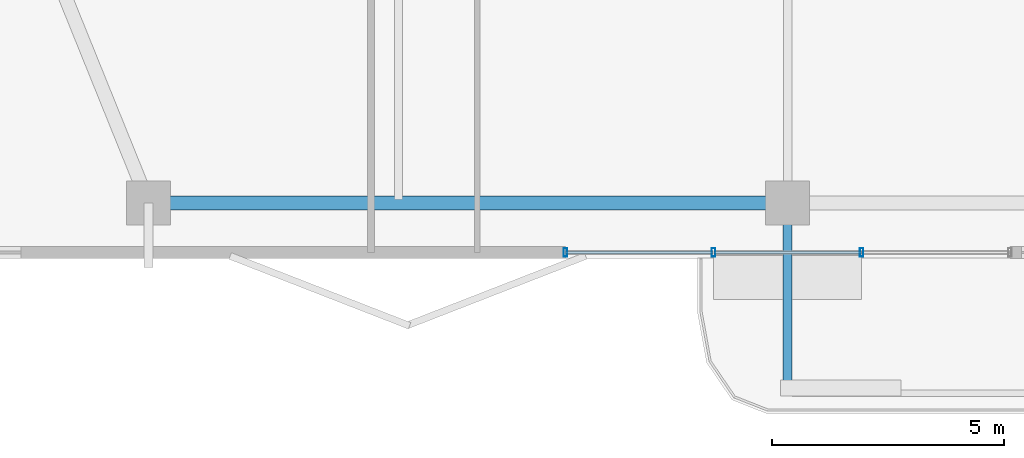
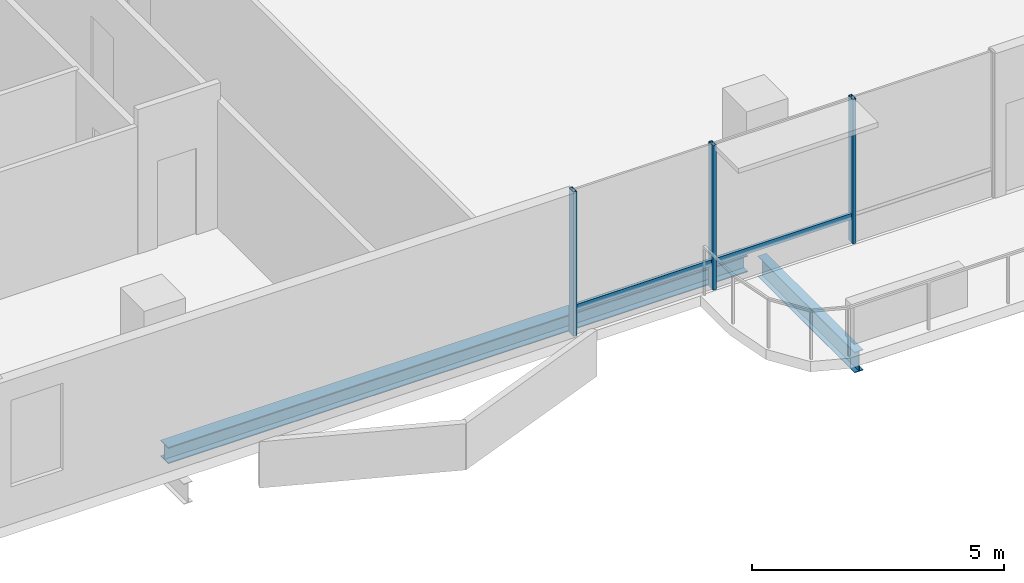
# One storey, part 2 of 25: 5 members, 2 beams, 1 element without a shape of its own.
"""IFC4 building model written with IfcOpenShell, lengths in metres."""

from ifc_helpers import new_model, si_unit, direction, frame, origin, origin_2d, place, context, subcontext, project, spatial, hollow_rectangle, i_section, extrude, material, layer, layer_set, material_profile, profile_set, type_object, element, aggregate, save


model = new_model("IFC4")

# Units and contexts
model_context = context("Model", 3, precision=1e-05, world=origin(), true_north=direction((0.0, 1.0)))
body_context = subcontext(model_context, "Body", "Model", "MODEL_VIEW")
ifc_project = project(units=[si_unit("LENGTHUNIT", "METRE"), si_unit("AREAUNIT", "SQUARE_METRE"), si_unit("VOLUMEUNIT", "CUBIC_METRE"), si_unit("PLANEANGLEUNIT", "RADIAN"), si_unit("MASSUNIT", "GRAM", prefix="KILO")], contexts=[model_context])

# Site, building, storey
site_placement = place(None, origin())
site = spatial("IfcSite", under=ifc_project, at=site_placement, CompositionType="ELEMENT")
building_placement = place(site_placement, origin())
building = spatial("IfcBuilding", under=site, at=building_placement, Name="Belovzor Exchange Tower", CompositionType="ELEMENT")
storey_placement = place(building_placement, frame((0.0, 0.0, 269.10009765625)))
storey = spatial("IfcBuildingStorey", under=building, at=storey_placement, Name="L67", CompositionType="ELEMENT", Elevation=269.10009765625)

# Beam
ifc_material_1 = material(Name="Steel S355", Category="steel")
ifc_material_profile_1 = material_profile(ifc_material_1, i_section(OverallWidth=0.199951171875, OverallDepth=0.5, WebThickness=0.01025390625, FlangeThickness=0.01611328125, at=origin_2d()))
ifc_profile_set_1 = profile_set([ifc_material_profile_1], Name="Steel S355")
beam_type_1 = type_object("IfcBeamType", Name="Planted Balcony Cantilever Beam IPE 500", PredefinedType="BEAM", material=ifc_profile_set_1)
beam_1_placement = place(storey_placement, frame((28.800048828125, 4.839111328125, -0.5), z_axis=(0.0, -1.0, 0.0), x_axis=(1.0, 0.0, 0.0)))
element("IfcBeam", 1, at=beam_1_placement, inside=storey, type_object=beam_type_1, Name="BC-500 Planted Balcony Cantilever Beam IPE 500", PredefinedType="BEAM", context=body_context, shape_type="SweptSolid", body=[
    extrude(i_section(OverallWidth=0.199951171875, OverallDepth=0.5, WebThickness=0.01025390625, FlangeThickness=0.01611328125, at=origin_2d()), origin(), (0.0, 0.0, 1.0), 3.85009765625),
])

# Curtain wall, members
ifc_material_2 = material(Name="Anodised Aluminium Framing", Category="aluminium")
ifc_layer = layer(ifc_material_2, 0.179931640625)
ifc_layer_set = layer_set([ifc_layer], Name="Anodised Aluminium Framing")
curtain_wall_type = type_object("IfcCurtainWallType", Name="Recessed Loggia Low-Iron Triple-Glazed Curtain Wall", PredefinedType="NOTDEFINED", material=ifc_layer_set)
curtain_wall_placement = place(storey_placement, origin())
curtain_wall = element("IfcCurtainWall", 2, at=curtain_wall_placement, inside=storey, type_object=curtain_wall_type, Name="CW3 Recessed Loggia Low-Iron Triple-Glazed Curtain Wall L67", PredefinedType="NOTDEFINED")
ifc_material_3 = material(Name="Steel S355", Category="steel")
ifc_material_profile_2 = material_profile(ifc_material_3, hollow_rectangle(XDim=0.074951171875, YDim=0.179931640625, WallThickness=0.0048828125, at=origin_2d()))
ifc_profile_set_2 = profile_set([ifc_material_profile_2], Name="Steel S355")
member_type_1 = type_object("IfcMemberType", Name="Thermally Broken Curtain Wall Mullion 180x75", PredefinedType="MULLION", material=ifc_profile_set_2)
member_1_placement = place(storey_placement, frame((30.39990234375, 4.030029296875, 0.0), z_axis=(0.0, 0.0, 1.0), x_axis=(-1.0, 0.0, 0.0)))
member_1 = element("IfcMember", 3, at=member_1_placement, type_object=member_type_1, Name="CW-M180 Curtain Wall Mullion 2", PredefinedType="MULLION", context=body_context, shape_type="SweptSolid", body=[
    extrude(hollow_rectangle(XDim=0.074951171875, YDim=0.179931640625, WallThickness=0.0048828125, at=origin_2d()), origin(), (0.0, 0.0, 1.0), 3.5),
])
member_2_placement = place(storey_placement, frame((27.199951171875, 4.030029296875, 0.0), z_axis=(0.0, 0.0, 1.0), x_axis=(-1.0, 0.0, 0.0)))
member_2 = element("IfcMember", 4, at=member_2_placement, type_object=member_type_1, Name="CW-M180 Curtain Wall Mullion 3", PredefinedType="MULLION", context=body_context, shape_type="SweptSolid", body=[
    extrude(hollow_rectangle(XDim=0.074951171875, YDim=0.179931640625, WallThickness=0.0048828125, at=origin_2d()), origin(), (0.0, 0.0, 1.0), 3.5),
])
member_3_placement = place(storey_placement, frame((24.0, 4.030029296875, 0.0), z_axis=(0.0, 0.0, 1.0), x_axis=(-1.0, 0.0, 0.0)))
member_3 = element("IfcMember", 5, at=member_3_placement, type_object=member_type_1, Name="CW-M180 Curtain Wall Mullion 4", PredefinedType="MULLION", context=body_context, shape_type="SweptSolid", body=[
    extrude(hollow_rectangle(XDim=0.074951171875, YDim=0.179931640625, WallThickness=0.0048828125, at=origin_2d()), origin(), (0.0, 0.0, 1.0), 3.5),
])
ifc_material_4 = material(Name="Steel S355", Category="steel")
ifc_material_profile_3 = material_profile(ifc_material_4, hollow_rectangle(XDim=0.06005859375, YDim=0.14990234375, WallThickness=0.00390625, at=origin_2d()))
ifc_profile_set_3 = profile_set([ifc_material_profile_3], Name="Steel S355")
member_type_2 = type_object("IfcMemberType", Name="Thermally Broken Curtain Wall Transom 150x60", PredefinedType="USERDEFINED", material=ifc_profile_set_3)
member_4_placement = place(storey_placement, frame((30.39208984375, 4.030029296875, 0.6298828125), z_axis=(-1.0, 0.0, 0.0), x_axis=(0.0, -1.0, 0.0)))
member_4 = element("IfcMember", 6, at=member_4_placement, type_object=member_type_2, Name="CW-T150 Curtain Wall Transom 2", ObjectType="TRANSOM", PredefinedType="USERDEFINED", context=body_context, shape_type="SweptSolid", body=[
    extrude(hollow_rectangle(XDim=0.06005859375, YDim=0.14990234375, WallThickness=0.00390625, at=origin_2d()), origin(), (0.0, 0.0, 1.0), 3.18408203125),
])
member_5_placement = place(storey_placement, frame((27.19189453125, 4.030029296875, 0.6298828125), z_axis=(-1.0, 0.0, 0.0), x_axis=(0.0, -1.0, 0.0)))
member_5 = element("IfcMember", 7, at=member_5_placement, type_object=member_type_2, Name="CW-T150 Curtain Wall Transom 3", ObjectType="TRANSOM", PredefinedType="USERDEFINED", context=body_context, shape_type="SweptSolid", body=[
    extrude(hollow_rectangle(XDim=0.06005859375, YDim=0.14990234375, WallThickness=0.00390625, at=origin_2d()), origin(), (0.0, 0.0, 1.0), 3.183837890625),
])
aggregate(curtain_wall, [member_1, member_2, member_3, member_4, member_5])

# Beam
ifc_material_5 = material(Name="Steel S355", Category="steel")
ifc_material_profile_4 = material_profile(ifc_material_5, i_section(OverallWidth=0.300048828125, OverallDepth=0.39990234375, WebThickness=0.013427734375, FlangeThickness=0.02392578125, at=origin_2d()))
ifc_profile_set_4 = profile_set([ifc_material_profile_4], Name="Steel S355")
beam_type_2 = type_object("IfcBeamType", Name="Zone 5 Primary Girder HEB 400", PredefinedType="BEAM", material=ifc_profile_set_4)
beam_2_placement = place(storey_placement, frame((15.260986328125, 5.10009765625, -0.4501953125), z_axis=(1.0, 0.0, 0.0), x_axis=(0.0, 1.0, 0.0)))
element("IfcBeam", 8, at=beam_2_placement, inside=storey, type_object=beam_type_2, Name="FG-Z5 Zone 5 Primary Girder HEB 400", PredefinedType="BEAM", context=body_context, shape_type="SweptSolid", body=[
    extrude(i_section(OverallWidth=0.300048828125, OverallDepth=0.39990234375, WebThickness=0.013427734375, FlangeThickness=0.02392578125, at=origin_2d()), origin(), (0.0, 0.0, 1.0), 13.278076171875),
])

save(model, "model.ifc")
